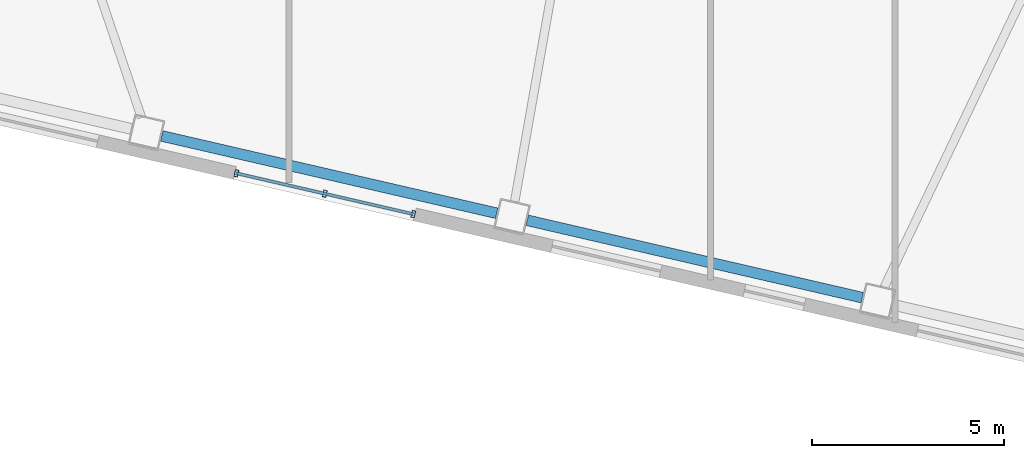
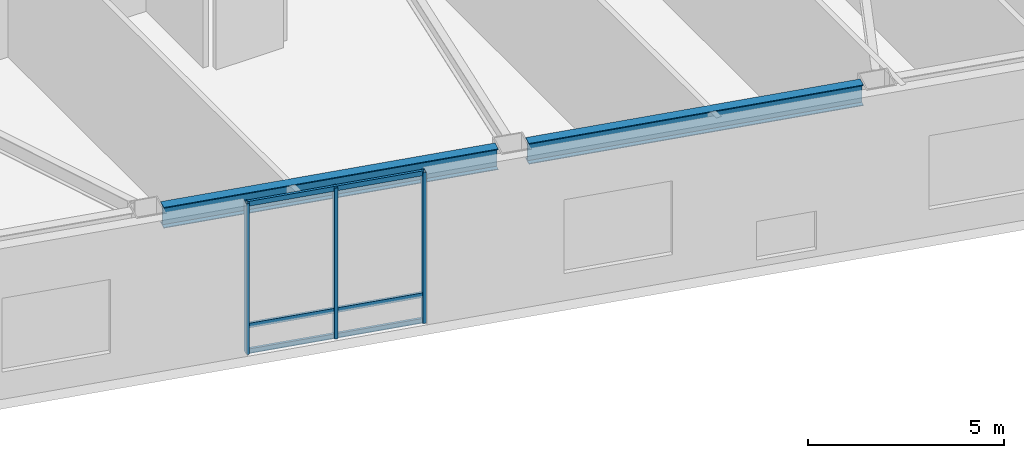
# One storey, part 4 of 20: 6 members, 2 beams, 1 element without a shape of its own.
"""IFC4 building model written with IfcOpenShell, lengths in metres."""

from ifc_helpers import new_model, si_unit, direction, frame, origin, origin_2d, place, context, subcontext, project, spatial, hollow_rectangle, i_section, extrude, material, layer, layer_set, material_profile, profile_set, type_object, element, aggregate, save


model = new_model("IFC4")

# Units and contexts
model_context = context("Model", 3, precision=1e-05, world=origin(), true_north=direction((0.0, 1.0)))
body_context = subcontext(model_context, "Body", "Model", "MODEL_VIEW")
ifc_project = project(units=[si_unit("LENGTHUNIT", "METRE"), si_unit("AREAUNIT", "SQUARE_METRE"), si_unit("VOLUMEUNIT", "CUBIC_METRE"), si_unit("PLANEANGLEUNIT", "RADIAN"), si_unit("MASSUNIT", "GRAM", prefix="KILO")], contexts=[model_context])

# Site, building, storey
site_placement = place(None, origin())
site = spatial("IfcSite", under=ifc_project, at=site_placement, CompositionType="ELEMENT")
building_placement = place(site_placement, origin())
building = spatial("IfcBuilding", under=site, at=building_placement, Name="Tavrogorsk Clinical Tower", CompositionType="ELEMENT")
storey_placement = place(building_placement, frame((0.0, 0.0, 23.39990234375)))
storey = spatial("IfcBuildingStorey", under=building, at=storey_placement, Name="L04", CompositionType="ELEMENT", Elevation=23.39990234375)

# Curtain wall, members
ifc_material_1 = material(Name="Anodised aluminium and triple IGU glazing", Category="aluminium")
ifc_layer = layer(ifc_material_1, 0.179931640625)
ifc_layer_set = layer_set([ifc_layer], Name="Anodised aluminium and triple IGU glazing")
curtain_wall_type = type_object("IfcCurtainWallType", Name="CW3_SouthSlot", PredefinedType="NOTDEFINED", material=ifc_layer_set)
curtain_wall_placement = place(storey_placement, origin())
curtain_wall = element("IfcCurtainWall", 1, at=curtain_wall_placement, inside=storey, type_object=curtain_wall_type, Name="L04 Curtain Wall CW-L04-S-SLOT-2", PredefinedType="NOTDEFINED")
ifc_material_2 = material(Name="Anodised aluminium alloy AW-6060", Category="aluminium")
ifc_material_profile_1 = material_profile(ifc_material_2, hollow_rectangle(XDim=0.090087890625, YDim=0.179931640625, WallThickness=0.00634765625, at=origin_2d()), Name="RHS-180x90x6.3")
ifc_profile_set_1 = profile_set([ifc_material_profile_1], Name="Anodised aluminium alloy AW-6060")
member_type_1 = type_object("IfcMemberType", Name="CwMullion_180x90", PredefinedType="MULLION", material=ifc_profile_set_1)
member_1_placement = place(storey_placement, frame((-0.92041015625, -28.240478515625, 0.0), z_axis=(0.0, 0.0, 1.0), x_axis=(0.974370102963, -0.224950888978, 0.0)))
member_1 = element("IfcMember", 2, at=member_1_placement, type_object=member_type_1, Name="CW-L04-S-SLOT-2 Mullion 1", PredefinedType="MULLION", context=body_context, shape_type="SweptSolid", body=[
    extrude(hollow_rectangle(XDim=0.090087890625, YDim=0.179931640625, WallThickness=0.00634765625, at=origin_2d()), origin(), (0.0, 0.0, 1.0), 4.7001953125),
])
member_2_placement = place(storey_placement, frame((1.378173828125, -28.771240234375, 0.0), z_axis=(0.0, 0.0, 1.0), x_axis=(0.974370102963, -0.224950888978, 0.0)))
member_2 = element("IfcMember", 3, at=member_2_placement, type_object=member_type_1, Name="CW-L04-S-SLOT-2 Mullion 2", PredefinedType="MULLION", context=body_context, shape_type="SweptSolid", body=[
    extrude(hollow_rectangle(XDim=0.090087890625, YDim=0.179931640625, WallThickness=0.00634765625, at=origin_2d()), origin(), (0.0, 0.0, 1.0), 4.7001953125),
])
member_3_placement = place(storey_placement, frame((3.6767578125, -29.3017578125, 0.0), z_axis=(0.0, 0.0, 1.0), x_axis=(0.974370102963, -0.224950888978, 0.0)))
member_3 = element("IfcMember", 4, at=member_3_placement, type_object=member_type_1, Name="CW-L04-S-SLOT-2 Mullion 3", PredefinedType="MULLION", context=body_context, shape_type="SweptSolid", body=[
    extrude(hollow_rectangle(XDim=0.090087890625, YDim=0.179931640625, WallThickness=0.00634765625, at=origin_2d()), origin(), (0.0, 0.0, 1.0), 4.7001953125),
])
ifc_material_3 = material(Name="Anodised aluminium alloy AW-6060", Category="aluminium")
ifc_material_profile_2 = material_profile(ifc_material_3, hollow_rectangle(XDim=0.074951171875, YDim=0.14990234375, WallThickness=0.0048828125, at=origin_2d()), Name="RHS-150x75x5")
ifc_profile_set_2 = profile_set([ifc_material_profile_2], Name="Anodised aluminium alloy AW-6060")
member_type_2 = type_object("IfcMemberType", Name="CwTransom_150x75", PredefinedType="USERDEFINED", material=ifc_profile_set_2)
member_4_placement = place(storey_placement, frame((-0.92041015625, -28.240478515625, 0.050048828125), z_axis=(0.974372877948, -0.22493886885, 0.0), x_axis=(0.22493886885, 0.974372877948, 0.0)))
member_4 = element("IfcMember", 5, at=member_4_placement, type_object=member_type_2, Name="CW-L04-S-SLOT-2 Transom 1", ObjectType="TRANSOM", PredefinedType="USERDEFINED", context=body_context, shape_type="SweptSolid", body=[
    extrude(hollow_rectangle(XDim=0.074951171875, YDim=0.14990234375, WallThickness=0.0048828125, at=origin_2d()), origin(), (0.0, 0.0, 1.0), 4.718017578125),
])
member_5_placement = place(storey_placement, frame((-0.92041015625, -28.240478515625, 0.85009765625), z_axis=(0.974372877948, -0.22493886885, 0.0), x_axis=(0.22493886885, 0.974372877948, 0.0)))
member_5 = element("IfcMember", 6, at=member_5_placement, type_object=member_type_2, Name="CW-L04-S-SLOT-2 Transom 2", ObjectType="TRANSOM", PredefinedType="USERDEFINED", context=body_context, shape_type="SweptSolid", body=[
    extrude(hollow_rectangle(XDim=0.074951171875, YDim=0.14990234375, WallThickness=0.0048828125, at=origin_2d()), origin(), (0.0, 0.0, 1.0), 4.718017578125),
])
member_6_placement = place(storey_placement, frame((-0.92041015625, -28.240478515625, 4.650146484375), z_axis=(0.974372877948, -0.22493886885, 0.0), x_axis=(0.22493886885, 0.974372877948, 0.0)))
member_6 = element("IfcMember", 7, at=member_6_placement, type_object=member_type_2, Name="CW-L04-S-SLOT-2 Transom 3", ObjectType="TRANSOM", PredefinedType="USERDEFINED", context=body_context, shape_type="SweptSolid", body=[
    extrude(hollow_rectangle(XDim=0.074951171875, YDim=0.14990234375, WallThickness=0.0048828125, at=origin_2d()), origin(), (0.0, 0.0, 1.0), 4.718017578125),
])
aggregate(curtain_wall, [member_1, member_2, member_3, member_4, member_5, member_6])

# Beams
ifc_material_4 = material(Name="Structural steel S390", Category="steel")
ifc_material_profile_3 = material_profile(ifc_material_4, i_section(OverallWidth=0.280029296875, OverallDepth=0.64990234375, WebThickness=0.01611328125, FlangeThickness=0.02490234375, at=origin_2d()), Name="B-650x280x16x25")
ifc_profile_set_3 = profile_set([ifc_material_profile_3], Name="Structural steel S390")
beam_type = type_object("IfcBeamType", Name="SpandrelBeam_B650", PredefinedType="SPANDREL", material=ifc_profile_set_3)
for number, where, z_axis, x_axis, name in (
    (8, (-2.85888671875, -27.26953125, 4.375), (0.974372766602, -0.224939351168, 0.0), (0.224939351168, 0.974372766602, 0.0), "L04 Perimeter Spandrel S5-S6"),
    (9, (6.639892578125, -29.46240234375, 4.375), (0.974366775889, -0.224965299645, 0.0), (0.224965299645, 0.974366775889, 0.0), "L04 Perimeter Spandrel S6-S7"),
):
    element("IfcBeam", number, at=place(storey_placement, frame(where, z_axis=z_axis, x_axis=x_axis)), inside=storey, type_object=beam_type, Name=name, PredefinedType="SPANDREL", context=body_context, shape_type="SweptSolid", body=[
        extrude(i_section(OverallWidth=0.280029296875, OverallDepth=0.64990234375, WebThickness=0.01611328125, FlangeThickness=0.02490234375, at=origin_2d()), origin(), (0.0, 0.0, 1.0), 8.9326171875),
    ])

save(model, "model.ifc")
